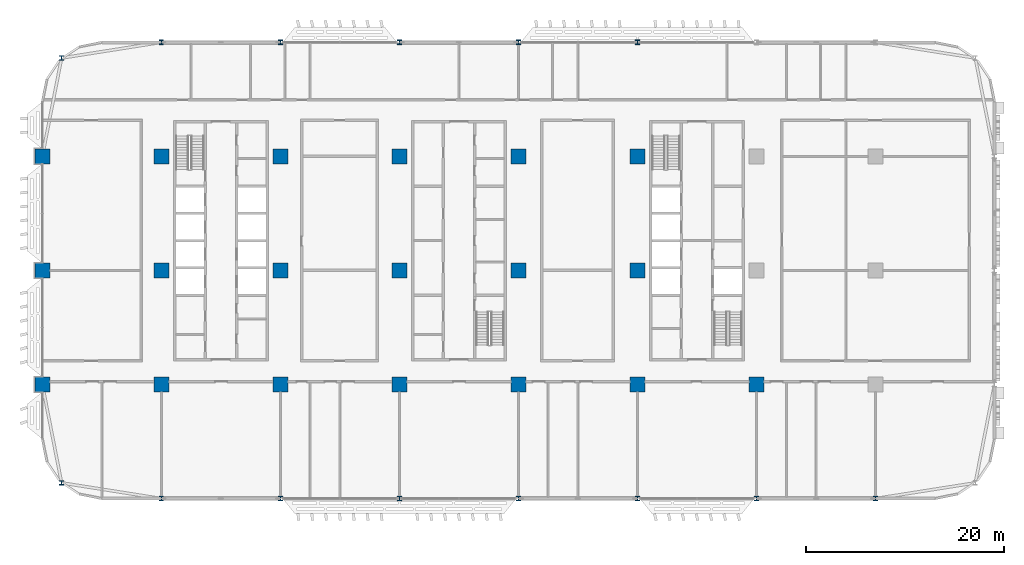
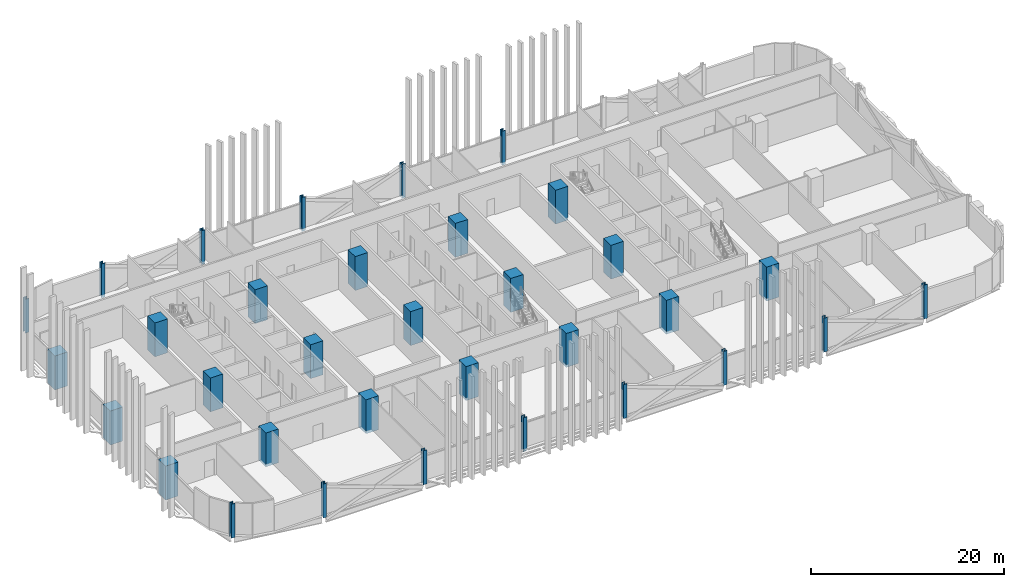
# One storey, part 1 of 29: 33 columns.
"""IFC4 building model written with IfcOpenShell, lengths in metres."""

from ifc_helpers import new_model, si_unit, direction, frame, origin, origin_2d, place, context, subcontext, project, spatial, rectangle, i_section, extrude, material, material_profile, profile_set, type_object, element, save


model = new_model("IFC4")

# Units and contexts
model_context = context("Model", 3, precision=1e-05, world=origin(), true_north=direction((0.0, 1.0)))
body_context = subcontext(model_context, "Body", "Model", "MODEL_VIEW")
ifc_project = project(units=[si_unit("LENGTHUNIT", "METRE"), si_unit("AREAUNIT", "SQUARE_METRE"), si_unit("VOLUMEUNIT", "CUBIC_METRE"), si_unit("PLANEANGLEUNIT", "RADIAN"), si_unit("MASSUNIT", "GRAM", prefix="KILO")], contexts=[model_context])

# Site, building, storey
site_placement = place(None, origin())
site = spatial("IfcSite", under=ifc_project, at=site_placement, CompositionType="ELEMENT")
building_placement = place(site_placement, origin())
building = spatial("IfcBuilding", under=site, at=building_placement, Name="Mahtab Terrace Research Tower", CompositionType="ELEMENT")
storey_placement = place(building_placement, frame((0.0, 0.0, 63.199951171875)))
storey = spatial("IfcBuildingStorey", under=building, at=storey_placement, Name="L14", CompositionType="ELEMENT", Elevation=63.199951171875)

# Columns
ifc_material_1 = material(Name="Concrete C70/85", Category="concrete")
ifc_material_profile_1 = material_profile(ifc_material_1, rectangle(XDim=1.5, YDim=1.5, at=origin_2d()), Name="RC column 1500x1500")
ifc_profile_set_1 = profile_set([ifc_material_profile_1], Name="Concrete C70/85")
column_type_1 = type_object("IfcColumnType", Name="RC column 1500x1500", PredefinedType="COLUMN", material=ifc_profile_set_1)
for number, where, z_axis, x_axis, name in (
    (1, (-42.0, -11.5, -0.33984375), (0.0, 0.0, 1.0), (1.0, 0.0, 0.0), "Column RC-1A L14"),
    (2, (-42.0, 0.0, -0.33984375), (0.0, 0.0, 1.0), (1.0, 0.0, 0.0), "Column RC-1B L14"),
    (3, (-42.0, 11.5, -0.33984375), (0.0, 0.0, 1.0), (1.0, 0.0, 0.0), "Column RC-1C L14"),
    (4, (-30.0, -11.5, -0.33984375), (0.0, 0.0, 1.0), (1.0, 0.0, 0.0), "Column RC-2A L14"),
    (5, (-30.0, 0.0, -0.33984375), (0.0, 0.0, 1.0), (1.0, 0.0, 0.0), "Column RC-2B L14"),
    (6, (-30.0, 11.5, -0.33984375), (0.0, 0.0, 1.0), (1.0, 0.0, 0.0), "Column RC-2C L14"),
    (7, (-18.0, -11.5, -0.33984375), (0.0, 0.0, 1.0), (1.0, 0.0, 0.0), "Column RC-3A L14"),
    (8, (-18.0, 0.0, -0.33984375), (0.0, 0.0, 1.0), (1.0, 0.0, 0.0), "Column RC-3B L14"),
    (9, (-18.0, 11.5, -0.33984375), (0.0, 0.0, 1.0), (1.0, 0.0, 0.0), "Column RC-3C L14"),
    (10, (-6.0, -11.5, -0.33984375), (0.0, 0.0, 1.0), (1.0, 0.0, 0.0), "Column RC-4A L14"),
    (11, (-6.0, 0.0, -0.33984375), (0.0, 0.0, 1.0), (1.0, 0.0, 0.0), "Column RC-4B L14"),
    (12, (-6.0, 11.5, -0.33984375), (0.0, 0.0, 1.0), (1.0, 0.0, 0.0), "Column RC-4C L14"),
    (13, (6.0, -11.5, -0.33984375), (0.0, 0.0, 1.0), (1.0, 0.0, 0.0), "Column RC-5A L14"),
    (14, (6.0, 0.0, -0.33984375), (0.0, 0.0, 1.0), (1.0, 0.0, 0.0), "Column RC-5B L14"),
    (15, (6.0, 11.5, -0.33984375), (0.0, 0.0, 1.0), (1.0, 0.0, 0.0), "Column RC-5C L14"),
    (16, (18.0, -11.5, -0.33984375), (0.0, 0.0, 1.0), (1.0, 0.0, 0.0), "Column RC-6A L14"),
    (17, (18.0, 0.0, -0.33984375), (0.0, 0.0, 1.0), (1.0, 0.0, 0.0), "Column RC-6B L14"),
    (18, (18.0, 11.5, -0.33984375), (0.0, 0.0, 1.0), (1.0, 0.0, 0.0), "Column RC-6C L14"),
    (19, (30.0, -11.5, -0.33984375), (0.0, 0.0, 1.0), (1.0, 0.0, 0.0), "Column RC-7A L14"),
):
    element("IfcColumn", number, at=place(storey_placement, frame(where, z_axis=z_axis, x_axis=x_axis)), inside=storey, type_object=column_type_1, Name=name, PredefinedType="COLUMN", context=body_context, shape_type="SweptSolid", body=[
        extrude(rectangle(XDim=1.5, YDim=1.5, at=origin_2d()), origin(), (0.0, 0.0, 1.0), 4.2998046875),
    ])
ifc_material_2 = material(Name="Steel ASTM A992 Gr 50", Category="steel")
ifc_material_profile_2 = material_profile(ifc_material_2, i_section(OverallWidth=0.42431640625, OverallDepth=0.47509765625, WebThickness=0.0478515625, FlangeThickness=0.0771484375, at=origin_2d()), Name="W14X426")
ifc_profile_set_2 = profile_set([ifc_material_profile_2], Name="Steel ASTM A992 Gr 50")
column_type_2 = type_object("IfcColumnType", Name="W14x426 column CS14426", PredefinedType="COLUMN", material=ifc_profile_set_2)
for number, where, z_axis, x_axis, name in (
    (20, (18.0, 23.0, -0.33984375), (0.0, 0.0, 1.0), (1.0, 0.0, 0.0), "Column SC-003 L14"),
    (21, (6.0, 23.0, -0.33984375), (0.0, 0.0, 1.0), (1.0, 0.0, 0.0), "Column SC-004 L14"),
    (22, (-6.0, 23.0, -0.33984375), (0.0, 0.0, 1.0), (1.0, 0.0, 0.0), "Column SC-005 L14"),
    (23, (-18.0, 23.0, -0.33984375), (0.0, 0.0, 1.0), (1.0, 0.0, 0.0), "Column SC-006 L14"),
    (24, (-30.0, 23.0, -0.33984375), (0.0, 0.0, 1.0), (1.0, 0.0, 0.0), "Column SC-007 L14"),
    (25, (-40.06201171875, 21.416015625, -0.33984375), (0.0, 0.0, 1.0), (1.0, 0.0, 0.0), "Column SC-024 L14"),
    (26, (-40.06201171875, -21.416015625, -0.33984375), (0.0, 0.0, 1.0), (1.0, 0.0, 0.0), "Column SC-025 L14"),
    (27, (-30.0, -23.0, -0.33984375), (0.0, 0.0, 1.0), (1.0, 0.0, 0.0), "Column SC-013 L14"),
    (28, (-18.0, -23.0, -0.33984375), (0.0, 0.0, 1.0), (1.0, 0.0, 0.0), "Column SC-014 L14"),
    (29, (-6.0, -23.0, -0.33984375), (0.0, 0.0, 1.0), (1.0, 0.0, 0.0), "Column SC-015 L14"),
    (30, (6.0, -23.0, -0.33984375), (0.0, 0.0, 1.0), (1.0, 0.0, 0.0), "Column SC-016 L14"),
    (31, (18.0, -23.0, -0.33984375), (0.0, 0.0, 1.0), (1.0, 0.0, 0.0), "Column SC-017 L14"),
    (32, (30.0, -23.0, -0.33984375), (0.0, 0.0, 1.0), (1.0, 0.0, 0.0), "Column SC-018 L14"),
    (33, (42.0, -23.0, -0.33984375), (0.0, 0.0, 1.0), (1.0, 0.0, 0.0), "Column SC-019 L14"),
):
    element("IfcColumn", number, at=place(storey_placement, frame(where, z_axis=z_axis, x_axis=x_axis)), inside=storey, type_object=column_type_2, Name=name, PredefinedType="COLUMN", context=body_context, shape_type="SweptSolid", body=[
        extrude(i_section(OverallWidth=0.42431640625, OverallDepth=0.47509765625, WebThickness=0.0478515625, FlangeThickness=0.0771484375, at=origin_2d()), origin(), (0.0, 0.0, 1.0), 4.2998046875),
    ])

save(model, "model.ifc")
